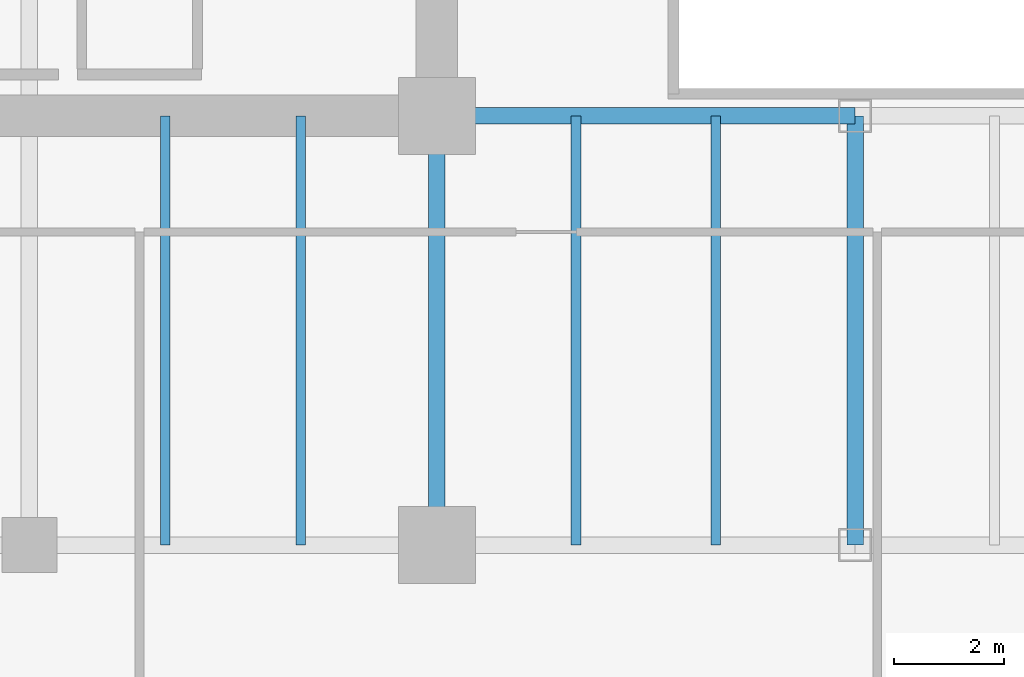
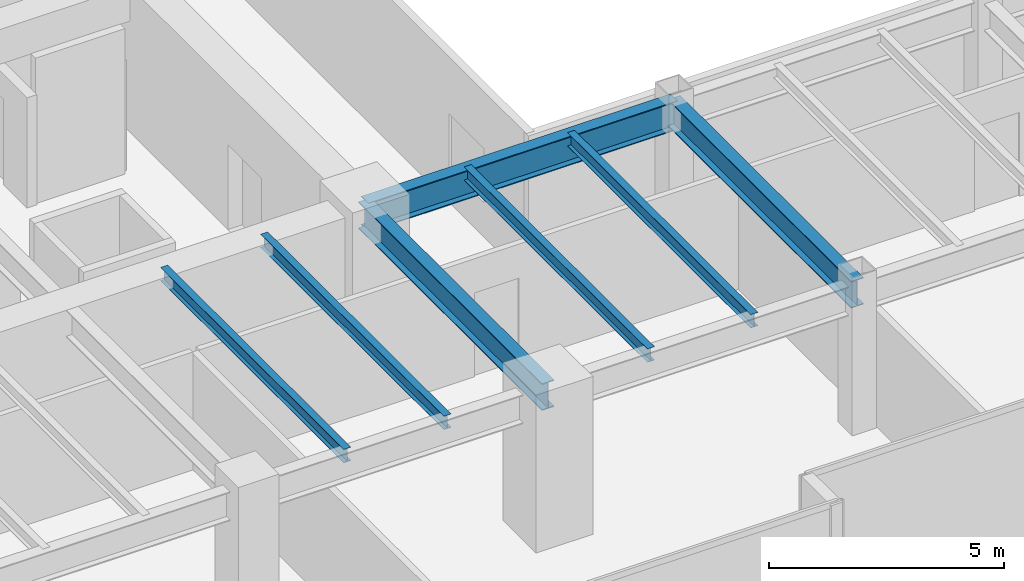
# One storey, part 5 of 35: 7 beams.
"""IFC4 building model written with IfcOpenShell, lengths in metres."""

from ifc_helpers import new_model, si_unit, direction, frame, origin, origin_2d, place, context, subcontext, project, spatial, i_section, extrude, source, transform, mapped, material, material_profile, profile_set, type_object, type_shapes, element, save


model = new_model("IFC4")

# Units and contexts
model_context = context("Model", 3, precision=1e-05, world=origin(), true_north=direction((0.0, 1.0)))
body_context = subcontext(model_context, "Body", "Model", "MODEL_VIEW")
ifc_project = project(units=[si_unit("LENGTHUNIT", "METRE"), si_unit("AREAUNIT", "SQUARE_METRE"), si_unit("VOLUMEUNIT", "CUBIC_METRE"), si_unit("PLANEANGLEUNIT", "RADIAN"), si_unit("MASSUNIT", "GRAM", prefix="KILO")], contexts=[model_context])

# Site, building, storey
site_placement = place(None, origin())
site = spatial("IfcSite", under=ifc_project, at=site_placement, CompositionType="ELEMENT")
building_placement = place(site_placement, origin())
building = spatial("IfcBuilding", under=site, at=building_placement, Name="Haelvirn Gate Laboratories", CompositionType="ELEMENT")
storey_placement = place(building_placement, frame((0.0, 0.0, 58.0)))
storey = spatial("IfcBuildingStorey", under=building, at=storey_placement, Name="L14", CompositionType="ELEMENT", Elevation=58.0)

# Beams
ifc_material = material(Name="Steel SM355", Category="steel")
ifc_material_profile_1 = material_profile(ifc_material, i_section(OverallWidth=0.300048828125, OverallDepth=0.699951171875, WebThickness=0.012939453125, FlangeThickness=0.02392578125, at=origin_2d()), Name="H-700x300x13x24")
ifc_profile_set_1 = profile_set([ifc_material_profile_1], Name="Steel SM355")
beam_type_1 = type_object("IfcBeamType", Name="BM-G-700", PredefinedType="BEAM", material=ifc_profile_set_1)
shared_shape_1 = source(origin(), body_context, "Body", "SweptSolid", [
    extrude(i_section(OverallWidth=0.300048828125, OverallDepth=0.699951171875, WebThickness=0.012939453125, FlangeThickness=0.02392578125, at=origin_2d()), origin(), (0.0, 0.0, 1.0), 7.800048828125),
])
type_shapes(beam_type_1, [shared_shape_1])
for number, where, z_axis, x_axis, name in (
    (1, (22.199951171875, 7.0, 3.429931640625), (0.0, 1.0, 0.0), (-1.0, 0.0, 0.0), "L14 Frame Girder X22.2 (7.0-14.8)"),
    (2, (29.800048828125, 7.0, 3.429931640625), (0.0, 1.0, 0.0), (-1.0, 0.0, 0.0), "L14 Frame Girder X29.8 (7.0-14.8)"),
):
    element("IfcBeam", number, at=place(storey_placement, frame(where, z_axis=z_axis, x_axis=x_axis)), inside=storey, type_object=beam_type_1, Name=name, PredefinedType="BEAM", context=body_context, shape_type="MappedRepresentation", body=[
        mapped(shared_shape_1, transform((0.0, 0.0, 0.0), scale=1.0)),
    ])
ifc_material_profile_2 = material_profile(ifc_material, i_section(OverallWidth=0.300048828125, OverallDepth=0.75, WebThickness=0.013916015625, FlangeThickness=0.02392578125, at=origin_2d()), Name="H-750x300x14x24")
ifc_profile_set_2 = profile_set([ifc_material_profile_2], Name="Steel SM355")
beam_type_2 = type_object("IfcBeamType", Name="BM-G-750", PredefinedType="BEAM", material=ifc_profile_set_2)
shared_shape_2 = source(origin(), body_context, "Body", "SweptSolid", [
    extrude(i_section(OverallWidth=0.300048828125, OverallDepth=0.75, WebThickness=0.013916015625, FlangeThickness=0.02392578125, at=origin_2d()), origin(), (0.0, 0.0, 1.0), 7.60009765625),
])
type_shapes(beam_type_2, [shared_shape_2])
beam_placement = place(storey_placement, frame((22.199951171875, 14.800048828125, 3.405029296875), z_axis=(1.0, 0.0, 0.0), x_axis=(0.0, 1.0, 0.0)))
element("IfcBeam", 3, at=beam_placement, inside=storey, type_object=beam_type_2, Name="L14 Primary Girder Y14.8 (22.2-29.8)", PredefinedType="BEAM", context=body_context, shape_type="MappedRepresentation", body=[
    mapped(shared_shape_2, transform((0.0, 0.0, 0.0), scale=1.0)),
])
ifc_material_profile_3 = material_profile(ifc_material, i_section(OverallWidth=0.175048828125, OverallDepth=0.35009765625, WebThickness=0.007080078125, FlangeThickness=0.010986328125, at=origin_2d()), Name="H-350x175x7x11")
ifc_profile_set_3 = profile_set([ifc_material_profile_3], Name="Steel SM355")
beam_type_3 = type_object("IfcBeamType", Name="BM-J-350", PredefinedType="JOIST", material=ifc_profile_set_3)
shared_shape_3 = source(origin(), body_context, "Body", "SweptSolid", [
    extrude(i_section(OverallWidth=0.175048828125, OverallDepth=0.35009765625, WebThickness=0.007080078125, FlangeThickness=0.010986328125, at=origin_2d()), origin(), (0.0, 0.0, 1.0), 7.800048828125),
])
type_shapes(beam_type_3, [shared_shape_3])
for number, where, z_axis, x_axis, name in (
    (4, (17.27001953125, 7.0, 3.60498046875), (0.0, 1.0, 0.0), (-1.0, 0.0, 0.0), "L14 Composite Lab Joist South X17.27"),
    (5, (19.72998046875, 7.0, 3.60498046875), (0.0, 1.0, 0.0), (-1.0, 0.0, 0.0), "L14 Composite Lab Joist South X19.73"),
    (6, (24.72998046875, 7.0, 3.60498046875), (0.0, 1.0, 0.0), (-1.0, 0.0, 0.0), "L14 Composite Lab Joist South X24.73"),
    (7, (27.27001953125, 7.0, 3.60498046875), (0.0, 1.0, 0.0), (-1.0, 0.0, 0.0), "L14 Composite Lab Joist South X27.27"),
):
    element("IfcBeam", number, at=place(storey_placement, frame(where, z_axis=z_axis, x_axis=x_axis)), inside=storey, type_object=beam_type_3, Name=name, PredefinedType="JOIST", context=body_context, shape_type="MappedRepresentation", body=[
        mapped(shared_shape_3, transform((0.0, 0.0, 0.0), scale=1.0)),
    ])

save(model, "model.ifc")
